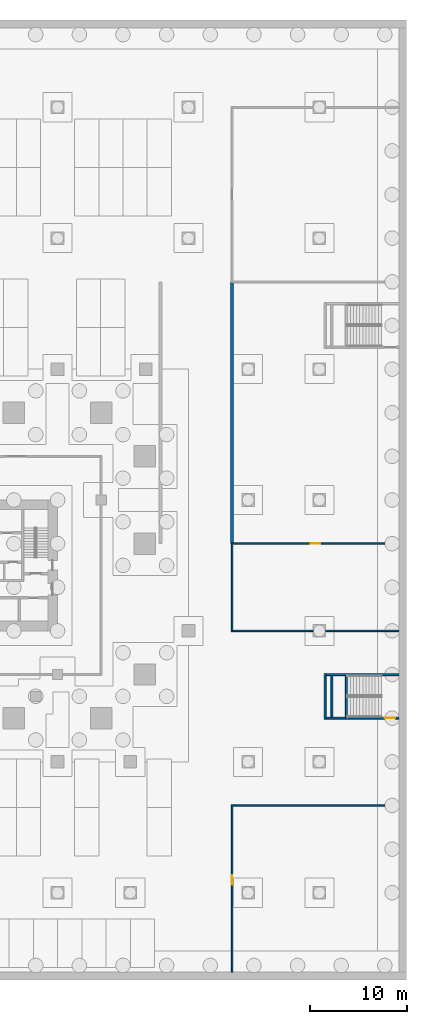
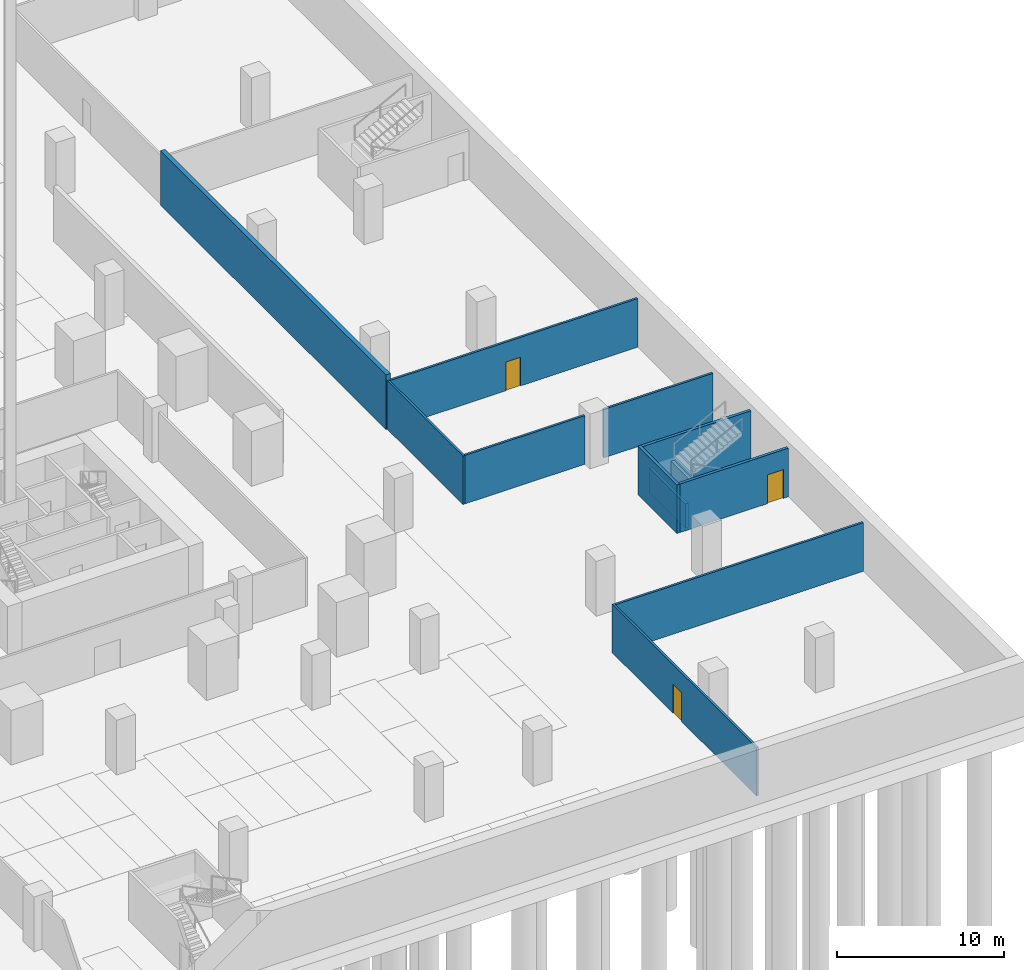
# One storey, part 14 of 40: 12 walls, 3 doors, 3 openings.
"""IFC4 building model written with IfcOpenShell, lengths in metres."""

from ifc_helpers import new_model, si_unit, direction, frame, frame_2d, origin, place, context, subcontext, project, spatial, rectangle, extrude, material, layer, layer_set, type_object, element, fill, save


model = new_model("IFC4")

# Units and contexts
model_context = context("Model", 3, precision=1e-05, world=origin(), true_north=direction((0.0, 1.0)))
body_context = subcontext(model_context, "Body", "Model", "MODEL_VIEW")
ifc_project = project(units=[si_unit("LENGTHUNIT", "METRE"), si_unit("AREAUNIT", "SQUARE_METRE"), si_unit("VOLUMEUNIT", "CUBIC_METRE"), si_unit("PLANEANGLEUNIT", "RADIAN"), si_unit("MASSUNIT", "GRAM", prefix="KILO")], contexts=[model_context])

# Site, building, storey
site_placement = place(None, origin())
site = spatial("IfcSite", under=ifc_project, at=site_placement, CompositionType="ELEMENT")
building_placement = place(site_placement, origin())
building = spatial("IfcBuilding", under=site, at=building_placement, Name="Altepetl Exchange Towers", CompositionType="ELEMENT")
storey_placement = place(building_placement, frame((0.0, 0.0, -8.0)))
storey = spatial("IfcBuildingStorey", under=building, at=storey_placement, Name="B2 Basement parking", CompositionType="ELEMENT", Elevation=-8.0)

# Walls
ifc_material_1 = material(Name="Reinforced concrete C35/45", Category="concrete")
ifc_layer_1 = layer(ifc_material_1, 0.199951171875)
ifc_layer_set_1 = layer_set([ifc_layer_1], Name="Reinforced concrete C35/45")
wall_type_1 = type_object("IfcWallType", Name="Landing support wall 200", PredefinedType="SOLIDWALL", material=ifc_layer_set_1)
for number, where, z_axis, x_axis, name in (
    (1, (146.780029296875, 27.10009765625, 0.0), (0.0, 0.0, 1.0), (0.0, 1.0, 0.0), "wall:P:B2:ES7sup0"),
    (2, (145.300048828125, 27.10009765625, 0.0), (0.0, 0.0, 1.0), (0.0, 1.0, 0.0), "wall:P:B2:ES7sup1"),
):
    element("IfcWall", number, at=place(storey_placement, frame(where, z_axis=z_axis, x_axis=x_axis)), inside=storey, type_object=wall_type_1, Name=name, PredefinedType="SOLIDWALL", context=body_context, shape_type="SweptSolid", body=[
        extrude(rectangle(XDim=4.2998046875, YDim=0.199951171875, at=frame_2d((2.14990234375, 0.0))), origin(), (0.0, 0.0, 1.0), 1.800048828125),
    ])

# Wall, opening, door
ifc_material_2 = material(Name="Gypsum board on steel studs", Category="steel")
ifc_layer_2 = layer(ifc_material_2, 0.14990234375)
ifc_layer_set_2 = layer_set([ifc_layer_2], Name="Gypsum board on steel studs")
wall_type_2 = type_object("IfcWallType", Name="Podium partition 150", PredefinedType="PARTITIONING", material=ifc_layer_set_2)
wall_1_placement = place(storey_placement, frame((135.0, 0.800048828125, 0.0), z_axis=(0.0, 0.0, 1.0), x_axis=(0.0, 1.0, 0.0)))
wall_1 = element("IfcWall", 3, at=wall_1_placement, inside=storey, type_object=wall_type_2, Name="wall:P:B2:P019", PredefinedType="PARTITIONING", context=body_context, shape_type="SweptSolid", body=[
    extrude(rectangle(XDim=17.27490234375, YDim=0.14990234375, at=frame_2d((8.637451171875, 0.0))), origin(), (0.0, 0.0, 1.0), 3.550048828125),
])
opening_1_placement = place(wall_1_placement, frame((9.0, 0.0, 0.0)))
opening_1 = element("IfcOpeningElement", 4, at=opening_1_placement, cuts=wall_1, Name="Opening B2.P007", PredefinedType="OPENING", context=body_context, shape_type="SweptSolid", body=[
    extrude(rectangle(XDim=1.0, YDim=2.10009765625, at=frame_2d((0.5, 1.050048828125))), frame((0.0, 0.0849609375, 0.0), z_axis=(0.0, -1.0, 0.0), x_axis=(1.0, 0.0, 0.0)), (0.0, 0.0, 1.0), 0.169921875),
])
ifc_material_3 = material(Name="Steel and timber fire door", Category="steel")
door_type_1 = type_object("IfcDoorType", Name="Podium fire door 1000 x 2100 single leaf", OperationType="SINGLE_SWING_LEFT", PredefinedType="DOOR", material=ifc_material_3)
door_1_placement = place(opening_1_placement, frame((1.0, 0.0, 0.0), x_axis=(-1.0, 0.0, 0.0)))
door_1 = element("IfcDoor", 5, at=door_1_placement, inside=storey, type_object=door_type_1, Name="door:P:B2:007", OperationType="SINGLE_SWING_LEFT", OverallHeight=2.10009765625, OverallWidth=1.0, PredefinedType="DOOR", context=body_context, shape_type="SweptSolid", body=[
    extrude(rectangle(XDim=1.0, YDim=2.10009765625, at=frame_2d((0.5, 1.050048828125))), frame((0.0, 0.02490234375, 0.0), z_axis=(0.0, -1.0, 0.0), x_axis=(1.0, 0.0, 0.0)), (0.0, 0.0, 1.0), 0.050048828125),
])
fill(opening_1, door_1)

# Walls
wall_2_placement = place(storey_placement, frame((135.074951171875, 18.0, 0.0)))
element("IfcWall", 6, at=wall_2_placement, inside=storey, type_object=wall_type_2, Name="wall:P:B2:P020", PredefinedType="PARTITIONING", context=body_context, shape_type="SweptSolid", body=[
    extrude(rectangle(XDim=17.125, YDim=0.14990234375, at=frame_2d((8.5625, 0.0))), origin(), (0.0, 0.0, 1.0), 3.550048828125),
])
wall_3_placement = place(storey_placement, frame((135.0, 35.925048828125, 0.0), z_axis=(0.0, 0.0, 1.0), x_axis=(0.0, 1.0, 0.0)))
element("IfcWall", 7, at=wall_3_placement, inside=storey, type_object=wall_type_2, Name="wall:P:B2:P021", PredefinedType="PARTITIONING", context=body_context, shape_type="SweptSolid", body=[
    extrude(rectangle(XDim=9.14990234375, YDim=0.14990234375, at=frame_2d((4.574951171875, 0.0))), origin(), (0.0, 0.0, 1.0), 3.550048828125),
])
wall_4_placement = place(storey_placement, frame((135.074951171875, 36.0, 0.0)))
element("IfcWall", 8, at=wall_4_placement, inside=storey, type_object=wall_type_2, Name="wall:P:B2:P022", PredefinedType="PARTITIONING", context=body_context, shape_type="SweptSolid", body=[
    extrude(rectangle(XDim=8.280029296875, YDim=0.14990234375, at=frame_2d((4.14013671875, 0.0))), origin(), (0.0, 0.0, 1.0), 3.550048828125),
])
wall_5_placement = place(storey_placement, frame((144.64501953125, 36.0, 0.0)))
element("IfcWall", 9, at=wall_5_placement, inside=storey, type_object=wall_type_2, Name="wall:P:B2:P023", PredefinedType="PARTITIONING", context=body_context, shape_type="SweptSolid", body=[
    extrude(rectangle(XDim=7.554931640625, YDim=0.14990234375, at=frame_2d((3.77734375, 0.0))), origin(), (0.0, 0.0, 1.0), 3.550048828125),
])

# Wall, opening, door
wall_6_placement = place(storey_placement, frame((135.074951171875, 45.0, 0.0)))
wall_6 = element("IfcWall", 10, at=wall_6_placement, inside=storey, type_object=wall_type_2, Name="wall:P:B2:P024", PredefinedType="PARTITIONING", context=body_context, shape_type="SweptSolid", body=[
    extrude(rectangle(XDim=17.125, YDim=0.14990234375, at=frame_2d((8.5625, 0.0))), origin(), (0.0, 0.0, 1.0), 3.550048828125),
])
opening_2_placement = place(wall_6_placement, frame((8.02490234375, 0.0, 0.0)))
opening_2 = element("IfcOpeningElement", 11, at=opening_2_placement, cuts=wall_6, Name="Opening B2.P008", PredefinedType="OPENING", context=body_context, shape_type="SweptSolid", body=[
    extrude(rectangle(XDim=1.0, YDim=2.10009765625, at=frame_2d((0.5, 1.050048828125))), frame((0.0, 0.0849609375, 0.0), z_axis=(0.0, -1.0, 0.0), x_axis=(1.0, 0.0, 0.0)), (0.0, 0.0, 1.0), 0.169921875),
])
door_2_placement = place(opening_2_placement, frame((1.0, 0.0, 0.0), x_axis=(-1.0, 0.0, 0.0)))
door_2 = element("IfcDoor", 12, at=door_2_placement, inside=storey, type_object=door_type_1, Name="door:P:B2:008", OperationType="SINGLE_SWING_RIGHT", OverallHeight=2.10009765625, OverallWidth=1.0, PredefinedType="DOOR", context=body_context, shape_type="SweptSolid", body=[
    extrude(rectangle(XDim=1.0, YDim=2.10009765625, at=frame_2d((0.5, 1.050048828125))), frame((0.0, 0.02490234375, 0.0), z_axis=(0.0, -1.0, 0.0), x_axis=(1.0, 0.0, 0.0)), (0.0, 0.0, 1.0), 0.050048828125),
])
fill(opening_2, door_2)

# Walls
ifc_layer_3 = layer(ifc_material_1, 0.300048828125)
ifc_layer_set_3 = layer_set([ifc_layer_3], Name="Reinforced concrete C35/45")
wall_type_3 = type_object("IfcWallType", Name="Ramp retaining wall 300", PredefinedType="SOLIDWALL", material=ifc_layer_set_3)
wall_7_placement = place(storey_placement, frame((135.0, 45.0, 0.0), z_axis=(0.0, 0.0, 1.0), x_axis=(0.0, 1.0, 0.0)))
element("IfcWall", 13, at=wall_7_placement, inside=storey, type_object=wall_type_3, Name="wall:P:B2:rampR2E", PredefinedType="SOLIDWALL", context=body_context, shape_type="SweptSolid", body=[
    extrude(rectangle(XDim=27.0, YDim=0.300048828125, at=frame_2d((13.5, 0.0))), origin(), (0.0, 0.0, 1.0), 4.0),
])
ifc_layer_4 = layer(ifc_material_1, 0.199951171875)
ifc_layer_set_4 = layer_set([ifc_layer_4], Name="Reinforced concrete C35/45")
wall_type_4 = type_object("IfcWallType", Name="Stair enclosure wall 200", PredefinedType="SOLIDWALL", material=ifc_layer_set_4)
wall_8_placement = place(storey_placement, frame((144.60009765625, 26.89990234375, 0.0), z_axis=(0.0, 0.0, 1.0), x_axis=(0.0, 1.0, 0.0)))
element("IfcWall", 14, at=wall_8_placement, inside=storey, type_object=wall_type_4, Name="wall:P:B2:P074", PredefinedType="SOLIDWALL", context=body_context, shape_type="SweptSolid", body=[
    extrude(rectangle(XDim=4.7001953125, YDim=0.199951171875, at=frame_2d((2.35009765625, 0.0))), origin(), (0.0, 0.0, 1.0), 3.550048828125),
])

# Wall, opening, door
wall_9_placement = place(storey_placement, frame((144.699951171875, 27.0, 0.0)))
wall_9 = element("IfcWall", 15, at=wall_9_placement, inside=storey, type_object=wall_type_4, Name="wall:P:B2:P075", PredefinedType="SOLIDWALL", context=body_context, shape_type="SweptSolid", body=[
    extrude(rectangle(XDim=7.5, YDim=0.199951171875, at=frame_2d((3.75, 0.0))), origin(), (0.0, 0.0, 1.0), 3.550048828125),
])
opening_3_placement = place(wall_9_placement, frame((6.050048828125, 0.0, 0.0)))
opening_3 = element("IfcOpeningElement", 16, at=opening_3_placement, cuts=wall_9, Name="Opening B2.P018", PredefinedType="OPENING", context=body_context, shape_type="SweptSolid", body=[
    extrude(rectangle(XDim=1.10009765625, YDim=2.10009765625, at=frame_2d((0.550048828125, 1.050048828125))), frame((0.0, 0.10986328125, 0.0), z_axis=(0.0, -1.0, 0.0), x_axis=(1.0, 0.0, 0.0)), (0.0, 0.0, 1.0), 0.219970703125),
])
ifc_material_4 = material(Name="Steel fire door", Category="steel")
door_type_2 = type_object("IfcDoorType", Name="Podium fire door 1100 x 2100 single leaf", OperationType="SINGLE_SWING_LEFT", PredefinedType="DOOR", material=ifc_material_4)
door_3_placement = place(opening_3_placement, origin())
door_3 = element("IfcDoor", 17, at=door_3_placement, inside=storey, type_object=door_type_2, Name="door:P:B2:018", OperationType="SINGLE_SWING_RIGHT", OverallHeight=2.10009765625, OverallWidth=1.10009765625, PredefinedType="DOOR", context=body_context, shape_type="SweptSolid", body=[
    extrude(rectangle(XDim=1.10009765625, YDim=2.10009765625, at=frame_2d((0.550048828125, 1.050048828125))), frame((0.0, 0.02490234375, 0.0), z_axis=(0.0, -1.0, 0.0), x_axis=(1.0, 0.0, 0.0)), (0.0, 0.0, 1.0), 0.050048828125),
])
fill(opening_3, door_3)

# Wall
wall_10_placement = place(storey_placement, frame((144.699951171875, 31.5, 0.0)))
element("IfcWall", 18, at=wall_10_placement, inside=storey, type_object=wall_type_4, Name="wall:P:B2:P076", PredefinedType="SOLIDWALL", context=body_context, shape_type="SweptSolid", body=[
    extrude(rectangle(XDim=7.5, YDim=0.199951171875, at=frame_2d((3.75, 0.0))), origin(), (0.0, 0.0, 1.0), 3.550048828125),
])

save(model, "model.ifc")
